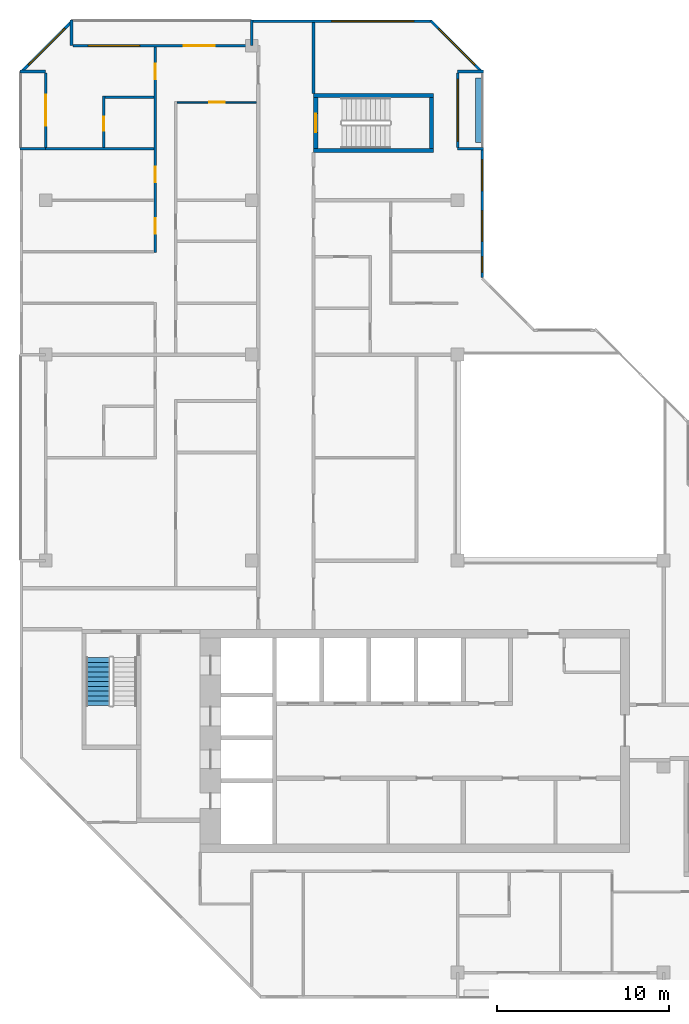
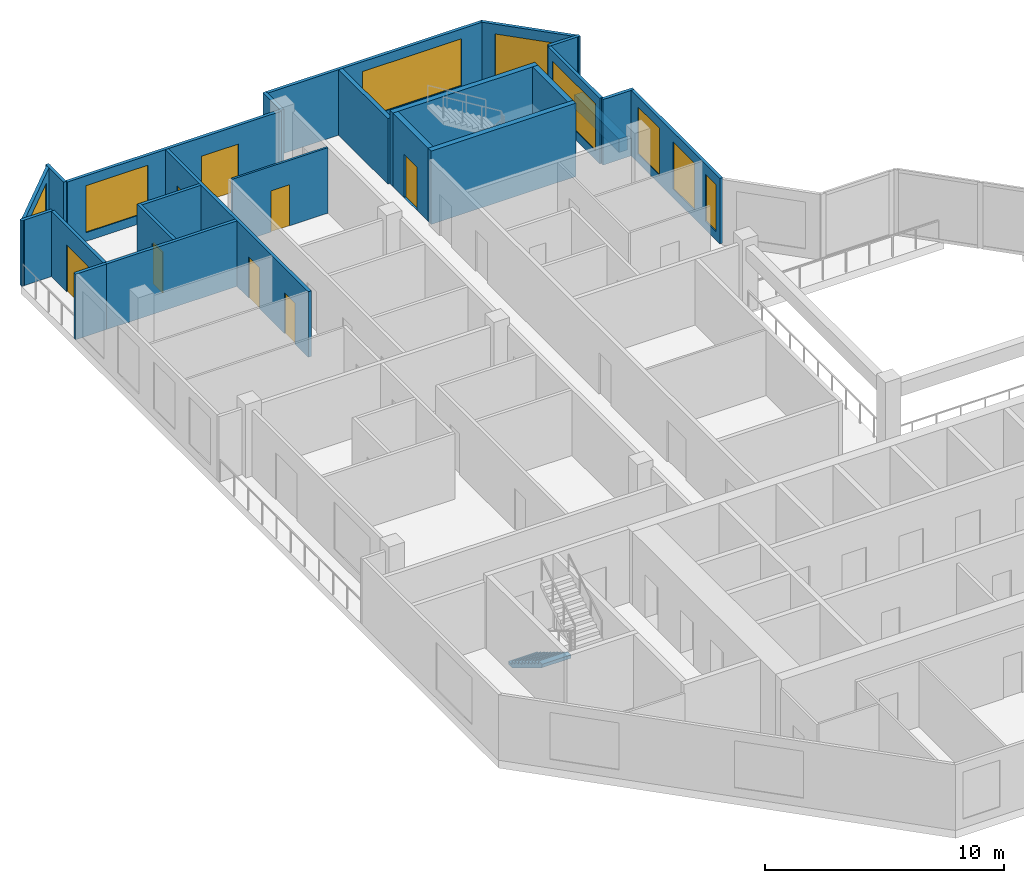
# One storey, part 9 of 12: 24 walls, 8 doors, 8 windows, 1 stair flight, 16 openings, 1 element without a shape of its own.
"""IFC4 building model written with IfcOpenShell, lengths in metres."""

from ifc_helpers import new_model, si_unit, direction, frame, frame_2d, origin, place, context, subcontext, project, spatial, polyline, rectangle, outline, extrude, material, layer, layer_set, type_object, element, fill, aggregate, save


model = new_model("IFC4")

# Units and contexts
model_context = context("Model", 3, precision=1e-05, world=origin(), true_north=direction((0.0, 1.0)))
body_context = subcontext(model_context, "Body", "Model", "MODEL_VIEW")
ifc_project = project(units=[si_unit("LENGTHUNIT", "METRE"), si_unit("AREAUNIT", "SQUARE_METRE"), si_unit("VOLUMEUNIT", "CUBIC_METRE"), si_unit("PLANEANGLEUNIT", "RADIAN"), si_unit("MASSUNIT", "GRAM", prefix="KILO")], contexts=[model_context])

# Site, building, storey
site_placement = place(None, origin())
site = spatial("IfcSite", under=ifc_project, at=site_placement, CompositionType="ELEMENT")
building_placement = place(site_placement, origin())
building = spatial("IfcBuilding", under=site, at=building_placement, Name="Chenar Terraces", CompositionType="ELEMENT")
storey_placement = place(building_placement, frame((0.0, 0.0, 342.64990234375)))
storey = spatial("IfcBuildingStorey", under=building, at=storey_placement, Name="L79", CompositionType="ELEMENT", Elevation=342.64990234375)

# Walls
ifc_material_1 = material(Name="Concrete C50/60", Category="concrete")
ifc_layer_1 = layer(ifc_material_1, 0.25)
ifc_layer_set_1 = layer_set([ifc_layer_1], Name="Concrete C50/60")
wall_type_1 = type_object("IfcWallType", Name="Core wall 250 Concrete C50/60", PredefinedType="SHEAR", material=ifc_layer_set_1)
for number, where, z_axis, x_axis, name in (
    (1, (15.60009765625, 47.89990234375, 0.0), (0.0, 0.0, 1.0), (1.0, 0.0, 0.0), "Core wall ST4_S L79"),
    (2, (15.60009765625, 51.10009765625, 0.0), (0.0, 0.0, 1.0), (1.0, 0.0, 0.0), "Core wall ST4_N L79"),
):
    element("IfcWall", number, at=place(storey_placement, frame(where, z_axis=z_axis, x_axis=x_axis)), inside=storey, type_object=wall_type_1, Name=name, PredefinedType="SHEAR", context=body_context, shape_type="SweptSolid", body=[
        extrude(rectangle(XDim=7.0, YDim=0.25, at=frame_2d((3.5, 0.0))), origin(), (0.0, 0.0, 1.0), 3.75),
    ])

# Wall, opening, door
wall_1_placement = place(storey_placement, frame((15.72509765625, 48.02490234375, 0.0), z_axis=(0.0, 0.0, 1.0), x_axis=(0.0, 1.0, 0.0)))
wall_1 = element("IfcWall", 3, at=wall_1_placement, inside=storey, type_object=wall_type_1, Name="Core wall ST4_W L79", PredefinedType="SHEAR", context=body_context, shape_type="SweptSolid", body=[
    extrude(rectangle(XDim=2.9501953125, YDim=0.25, at=frame_2d((1.47509765625, 0.0))), origin(), (0.0, 0.0, 1.0), 3.75),
])
opening_1_placement = place(wall_1_placement, frame((0.925048828125, 0.0, 0.0)))
opening_1 = element("IfcOpeningElement", 4, at=opening_1_placement, cuts=wall_1, Name="Opening DL79-C9", PredefinedType="OPENING", context=body_context, shape_type="SweptSolid", body=[
    extrude(rectangle(XDim=1.10009765625, YDim=2.199951171875, at=frame_2d((0.550048828125, 1.10009765625))), frame((0.0, 0.135009765625, 0.0), z_axis=(0.0, -1.0, 0.0), x_axis=(1.0, 0.0, 0.0)), (0.0, 0.0, 1.0), 0.27001953125),
])
ifc_material_2 = material(Name="Steel-framed fire-resisting door leaf", Category="steel")
door_type_1 = type_object("IfcDoorType", Name="Stair fire door FD60 1100 x 2200", OperationType="SINGLE_SWING_LEFT", PredefinedType="DOOR", material=ifc_material_2)
door_1_placement = place(opening_1_placement, frame((1.10009765625, 0.0, 0.0), z_axis=(0.0, 0.0, 1.0), x_axis=(-1.0, 0.0, 0.0)))
door_1 = element("IfcDoor", 5, at=door_1_placement, inside=storey, type_object=door_type_1, Name="Stair door DL79-C9", OperationType="SINGLE_SWING_RIGHT", OverallHeight=2.199951171875, OverallWidth=1.10009765625, PredefinedType="DOOR", context=body_context, shape_type="SweptSolid", body=[
    extrude(rectangle(XDim=1.10009765625, YDim=2.199951171875, at=frame_2d((0.550048828125, 1.10009765625))), frame((0.0, 0.02490234375, 0.0), z_axis=(0.0, -1.0, 0.0), x_axis=(1.0, 0.0, 0.0)), (0.0, 0.0, 1.0), 0.050048828125),
])
fill(opening_1, door_1)

# Walls
wall_2_placement = place(storey_placement, frame((22.47509765625, 48.02490234375, 0.0), z_axis=(0.0, 0.0, 1.0), x_axis=(0.0, 1.0, 0.0)))
element("IfcWall", 6, at=wall_2_placement, inside=storey, type_object=wall_type_1, Name="Core wall ST4_E L79", PredefinedType="SHEAR", context=body_context, shape_type="SweptSolid", body=[
    extrude(rectangle(XDim=2.9501953125, YDim=0.25, at=frame_2d((1.47509765625, 0.0))), origin(), (0.0, 0.0, 1.0), 3.75),
])
ifc_material_3 = material(Name="Gypsum board on steel studs with fire boards", Category="steel")
ifc_layer_2 = layer(ifc_material_3, 0.199951171875)
ifc_layer_set_2 = layer_set([ifc_layer_2], Name="Gypsum board on steel studs with fire boards")
wall_type_2 = type_object("IfcWallType", Name="Corridor wall 200", PredefinedType="PARTITIONING", material=ifc_layer_set_2)
wall_3_placement = place(storey_placement, frame((15.60009765625, 51.22509765625, 0.0), z_axis=(0.0, 0.0, 1.0), x_axis=(0.0, 1.0, 0.0)))
element("IfcWall", 7, at=wall_3_placement, inside=storey, type_object=wall_type_2, Name="Partition L79-032", PredefinedType="PARTITIONING", context=body_context, shape_type="SweptSolid", body=[
    extrude(rectangle(XDim=4.125, YDim=0.199951171875, at=frame_2d((2.0625, 0.0))), origin(), (0.0, 0.0, 1.0), 3.35009765625),
])

# Wall, openings, windows
ifc_material_4 = material(Name="Aluminium framed glazing", Category="aluminium")
ifc_layer_3 = layer(ifc_material_4, 0.14990234375)
ifc_layer_set_3 = layer_set([ifc_layer_3], Name="Aluminium framed glazing")
wall_type_3 = type_object("IfcWallType", Name="Glazed flush facade wall 150", PredefinedType="SOLIDWALL", material=ifc_layer_set_3)
wall_4_placement = place(storey_placement, frame((25.425048828125, 40.5, 0.0), z_axis=(0.0, 0.0, 1.0), x_axis=(0.0, 1.0, 0.0)))
wall_4 = element("IfcWall", 8, at=wall_4_placement, inside=storey, type_object=wall_type_3, Name="Glazed flush facade wall", PredefinedType="SOLIDWALL", context=body_context, shape_type="SweptSolid", body=[
    extrude(rectangle(XDim=7.425048828125, YDim=0.14990234375, at=frame_2d((3.71240234375, 0.0))), origin(), (0.0, 0.0, 1.0), 3.35009765625),
])
opening_2_placement = place(wall_4_placement, frame((0.300048828125, 0.0, 0.449951171875)))
opening_2 = element("IfcOpeningElement", 9, at=opening_2_placement, cuts=wall_4, Name="Opening W90x240", PredefinedType="OPENING", context=body_context, shape_type="SweptSolid", body=[
    extrude(rectangle(XDim=0.89990234375, YDim=2.39990234375, at=frame_2d((0.449951171875, 1.199951171875))), frame((0.0, 0.0849609375, 0.0), z_axis=(0.0, -1.0, 0.0), x_axis=(1.0, 0.0, 0.0)), (0.0, 0.0, 1.0), 0.169921875),
])
opening_3_placement = place(wall_4_placement, frame((2.10009765625, 0.0, 0.449951171875)))
opening_3 = element("IfcOpeningElement", 10, at=opening_3_placement, cuts=wall_4, Name="Opening W180x240", PredefinedType="OPENING", context=body_context, shape_type="SweptSolid", body=[
    extrude(rectangle(XDim=1.800048828125, YDim=2.39990234375, at=frame_2d((0.89990234375, 1.199951171875))), frame((0.0, 0.0849609375, 0.0), z_axis=(0.0, -1.0, 0.0), x_axis=(1.0, 0.0, 0.0)), (0.0, 0.0, 1.0), 0.169921875),
])
opening_4_placement = place(wall_4_placement, frame((5.0625, 0.0, 0.449951171875)))
opening_4 = element("IfcOpeningElement", 11, at=opening_4_placement, cuts=wall_4, Name="Opening W180x240", PredefinedType="OPENING", context=body_context, shape_type="SweptSolid", body=[
    extrude(rectangle(XDim=1.800048828125, YDim=2.39990234375, at=frame_2d((0.89990234375, 1.199951171875))), frame((0.0, 0.0849609375, 0.0), z_axis=(0.0, -1.0, 0.0), x_axis=(1.0, 0.0, 0.0)), (0.0, 0.0, 1.0), 0.169921875),
])
ifc_material_5 = material(Name="Low emissivity double glazing, aluminium frame", Category="aluminium")
window_type_1 = type_object("IfcWindowType", Name="Fixed light 1800 x 2400", PartitioningType="SINGLE_PANEL", PredefinedType="WINDOW", material=ifc_material_5)
window_1_placement = place(opening_3_placement, origin())
window_1 = element("IfcWindow", 12, at=window_1_placement, inside=storey, type_object=window_type_1, Name="Window", OverallHeight=2.39990234375, OverallWidth=1.800048828125, PartitioningType="SINGLE_PANEL", PredefinedType="WINDOW", context=body_context, shape_type="SweptSolid", body=[
    extrude(rectangle(XDim=1.800048828125, YDim=2.39990234375, at=frame_2d((0.89990234375, 1.199951171875))), frame((0.0, 0.030029296875, 0.0), z_axis=(0.0, -1.0, 0.0), x_axis=(1.0, 0.0, 0.0)), (0.0, 0.0, 1.0), 0.06005859375),
])
fill(opening_3, window_1)
window_2_placement = place(opening_4_placement, origin())
window_2 = element("IfcWindow", 13, at=window_2_placement, inside=storey, type_object=window_type_1, Name="Window", OverallHeight=2.39990234375, OverallWidth=1.800048828125, PartitioningType="SINGLE_PANEL", PredefinedType="WINDOW", context=body_context, shape_type="SweptSolid", body=[
    extrude(rectangle(XDim=1.800048828125, YDim=2.39990234375, at=frame_2d((0.89990234375, 1.199951171875))), frame((0.0, 0.030029296875, 0.0), z_axis=(0.0, -1.0, 0.0), x_axis=(1.0, 0.0, 0.0)), (0.0, 0.0, 1.0), 0.06005859375),
])
fill(opening_4, window_2)
ifc_material_6 = material(Name="Low emissivity double glazing, aluminium frame", Category="aluminium")
window_type_2 = type_object("IfcWindowType", Name="Fixed light 900 x 2400", PartitioningType="SINGLE_PANEL", PredefinedType="WINDOW", material=ifc_material_6)
window_3_placement = place(opening_2_placement, origin())
window_3 = element("IfcWindow", 14, at=window_3_placement, inside=storey, type_object=window_type_2, Name="Window", OverallHeight=2.39990234375, OverallWidth=0.89990234375, PartitioningType="SINGLE_PANEL", PredefinedType="WINDOW", context=body_context, shape_type="SweptSolid", body=[
    extrude(rectangle(XDim=0.89990234375, YDim=2.39990234375, at=frame_2d((0.449951171875, 1.199951171875))), frame((0.0, 0.030029296875, 0.0), z_axis=(0.0, -1.0, 0.0), x_axis=(1.0, 0.0, 0.0)), (0.0, 0.0, 1.0), 0.06005859375),
])
fill(opening_2, window_3)

# Wall, opening, window
wall_5_placement = place(storey_placement, frame((22.5, 55.425048828125, 0.0), z_axis=(0.0, 0.0, 1.0), x_axis=(-1.0, 0.0, 0.0)))
wall_5 = element("IfcWall", 15, at=wall_5_placement, inside=storey, type_object=wall_type_3, Name="Glazed flush facade wall", PredefinedType="SOLIDWALL", context=body_context, shape_type="SweptSolid", body=[
    extrude(rectangle(XDim=10.425048828125, YDim=0.14990234375, at=frame_2d((5.21240234375, 0.0))), origin(), (0.0, 0.0, 1.0), 3.35009765625),
])
opening_5_placement = place(wall_5_placement, frame((1.050048828125, 0.0, 0.449951171875)))
opening_5 = element("IfcOpeningElement", 16, at=opening_5_placement, cuts=wall_5, Name="Opening W480x240", PredefinedType="OPENING", context=body_context, shape_type="SweptSolid", body=[
    extrude(rectangle(XDim=4.800048828125, YDim=2.39990234375, at=frame_2d((2.39990234375, 1.199951171875))), frame((0.0, 0.0849609375, 0.0), z_axis=(0.0, -1.0, 0.0), x_axis=(1.0, 0.0, 0.0)), (0.0, 0.0, 1.0), 0.169921875),
])
ifc_material_7 = material(Name="Low emissivity double glazing, aluminium frame", Category="aluminium")
window_type_3 = type_object("IfcWindowType", Name="Fixed light 4800 x 2400", PartitioningType="SINGLE_PANEL", PredefinedType="WINDOW", material=ifc_material_7)
window_4_placement = place(opening_5_placement, origin())
window_4 = element("IfcWindow", 17, at=window_4_placement, inside=storey, type_object=window_type_3, Name="Window", OverallHeight=2.39990234375, OverallWidth=4.800048828125, PartitioningType="SINGLE_PANEL", PredefinedType="WINDOW", context=body_context, shape_type="SweptSolid", body=[
    extrude(rectangle(XDim=4.800048828125, YDim=2.39990234375, at=frame_2d((2.39990234375, 1.199951171875))), frame((0.0, 0.030029296875, 0.0), z_axis=(0.0, -1.0, 0.0), x_axis=(1.0, 0.0, 0.0)), (0.0, 0.0, 1.0), 0.06005859375),
])
fill(opening_5, window_4)

ifc_material_8 = material(Name="Aluminium framed glazing", Category="aluminium")
ifc_layer_4 = layer(ifc_material_8, 0.14990234375)
ifc_layer_set_4 = layer_set([ifc_layer_4], Name="Aluminium framed glazing")
wall_type_4 = type_object("IfcWallType", Name="Glazed loggia back wall 150", PredefinedType="SOLIDWALL", material=ifc_layer_set_4)
wall_6_placement = place(storey_placement, frame((24.0, 48.074951171875, 0.0), z_axis=(0.0, 0.0, 1.0), x_axis=(0.0, 1.0, 0.0)))
wall_6 = element("IfcWall", 18, at=wall_6_placement, inside=storey, type_object=wall_type_4, Name="Glazed loggia back wall", PredefinedType="SOLIDWALL", context=body_context, shape_type="SweptSolid", body=[
    extrude(rectangle(XDim=4.35009765625, YDim=0.14990234375, at=frame_2d((2.175048828125, 0.0))), origin(), (0.0, 0.0, 1.0), 3.35009765625),
])
opening_6_placement = place(wall_6_placement, frame((0.375, 0.0, 0.449951171875)))
opening_6 = element("IfcOpeningElement", 19, at=opening_6_placement, cuts=wall_6, Name="Opening W360x240", PredefinedType="OPENING", context=body_context, shape_type="SweptSolid", body=[
    extrude(rectangle(XDim=3.60009765625, YDim=2.39990234375, at=frame_2d((1.800048828125, 1.199951171875))), frame((0.0, 0.0849609375, 0.0), z_axis=(0.0, -1.0, 0.0), x_axis=(1.0, 0.0, 0.0)), (0.0, 0.0, 1.0), 0.169921875),
])
ifc_material_9 = material(Name="Low emissivity double glazing, aluminium frame", Category="aluminium")
window_type_4 = type_object("IfcWindowType", Name="Fixed light 3600 x 2400", PartitioningType="SINGLE_PANEL", PredefinedType="WINDOW", material=ifc_material_9)
window_5_placement = place(opening_6_placement, origin())
window_5 = element("IfcWindow", 20, at=window_5_placement, inside=storey, type_object=window_type_4, Name="Window", OverallHeight=2.39990234375, OverallWidth=3.60009765625, PartitioningType="SINGLE_PANEL", PredefinedType="WINDOW", context=body_context, shape_type="SweptSolid", body=[
    extrude(rectangle(XDim=3.60009765625, YDim=2.39990234375, at=frame_2d((1.800048828125, 1.199951171875))), frame((0.0, 0.030029296875, 0.0), z_axis=(0.0, -1.0, 0.0), x_axis=(1.0, 0.0, 0.0)), (0.0, 0.0, 1.0), 0.06005859375),
])
fill(opening_6, window_5)

# Wall, openings, window, door
wall_7_placement = place(storey_placement, frame((11.925048828125, 54.0, 0.0), z_axis=(0.0, 0.0, 1.0), x_axis=(-1.0, 0.0, 0.0)))
wall_7 = element("IfcWall", 21, at=wall_7_placement, inside=storey, type_object=wall_type_4, Name="Glazed loggia back wall", PredefinedType="SOLIDWALL", context=body_context, shape_type="SweptSolid", body=[
    extrude(rectangle(XDim=10.35009765625, YDim=0.14990234375, at=frame_2d((5.175048828125, 0.0))), origin(), (0.0, 0.0, 1.0), 3.35009765625),
])
opening_7_placement = place(wall_7_placement, frame((2.074951171875, 0.0, 0.0)))
opening_7 = element("IfcOpeningElement", 22, at=opening_7_placement, cuts=wall_7, Name="Opening DL79-G1", PredefinedType="OPENING", context=body_context, shape_type="SweptSolid", body=[
    extrude(rectangle(XDim=1.800048828125, YDim=2.39990234375, at=frame_2d((0.89990234375, 1.199951171875))), frame((0.0, 0.0849609375, 0.0), z_axis=(0.0, -1.0, 0.0), x_axis=(1.0, 0.0, 0.0)), (0.0, 0.0, 1.0), 0.169921875),
])
opening_8_placement = place(wall_7_placement, frame((6.449951171875, 0.0, 0.449951171875)))
opening_8 = element("IfcOpeningElement", 23, at=opening_8_placement, cuts=wall_7, Name="Opening W300x240", PredefinedType="OPENING", context=body_context, shape_type="SweptSolid", body=[
    extrude(rectangle(XDim=3.0, YDim=2.39990234375, at=frame_2d((1.5, 1.199951171875))), frame((0.0, 0.0849609375, 0.0), z_axis=(0.0, -1.0, 0.0), x_axis=(1.0, 0.0, 0.0)), (0.0, 0.0, 1.0), 0.169921875),
])
ifc_material_10 = material(Name="Low emissivity double glazing, aluminium frame", Category="aluminium")
window_type_5 = type_object("IfcWindowType", Name="Fixed light 3000 x 2400", PartitioningType="SINGLE_PANEL", PredefinedType="WINDOW", material=ifc_material_10)
window_6_placement = place(opening_8_placement, origin())
window_6 = element("IfcWindow", 24, at=window_6_placement, inside=storey, type_object=window_type_5, Name="Window", OverallHeight=2.39990234375, OverallWidth=3.0, PartitioningType="SINGLE_PANEL", PredefinedType="WINDOW", context=body_context, shape_type="SweptSolid", body=[
    extrude(rectangle(XDim=3.0, YDim=2.39990234375, at=frame_2d((1.5, 1.199951171875))), frame((0.0, 0.030029296875, 0.0), z_axis=(0.0, -1.0, 0.0), x_axis=(1.0, 0.0, 0.0)), (0.0, 0.0, 1.0), 0.06005859375),
])
fill(opening_8, window_6)
ifc_material_11 = material(Name="Low emissivity double glazing, aluminium frame", Category="aluminium")
door_type_2 = type_object("IfcDoorType", Name="Loggia glazed double door 1800 x 2400", OperationType="DOUBLE_DOOR_SINGLE_SWING", PredefinedType="DOOR", material=ifc_material_11)
door_2_placement = place(opening_7_placement, frame((1.800048828125, 0.0, 0.0), z_axis=(0.0, 0.0, 1.0), x_axis=(-1.0, 0.0, 0.0)))
door_2 = element("IfcDoor", 25, at=door_2_placement, inside=storey, type_object=door_type_2, Name="Loggia glazed door", OperationType="DOUBLE_DOOR_SINGLE_SWING", OverallHeight=2.39990234375, OverallWidth=1.800048828125, PredefinedType="DOOR", context=body_context, shape_type="SweptSolid", body=[
    extrude(rectangle(XDim=1.800048828125, YDim=2.39990234375, at=frame_2d((0.89990234375, 1.199951171875))), frame((0.0, 0.02490234375, 0.0), z_axis=(0.0, -1.0, 0.0), x_axis=(1.0, 0.0, 0.0)), (0.0, 0.0, 1.0), 0.050048828125),
])
fill(opening_7, door_2)

# Wall, opening, door
wall_8_placement = place(storey_placement, frame((0.0, 52.425048828125, 0.0), z_axis=(0.0, 0.0, 1.0), x_axis=(0.0, -1.0, 0.0)))
wall_8 = element("IfcWall", 26, at=wall_8_placement, inside=storey, type_object=wall_type_4, Name="Glazed loggia back wall", PredefinedType="SOLIDWALL", context=body_context, shape_type="SweptSolid", body=[
    extrude(rectangle(XDim=4.35009765625, YDim=0.14990234375, at=frame_2d((2.175048828125, 0.0))), origin(), (0.0, 0.0, 1.0), 3.35009765625),
])
opening_9_placement = place(wall_8_placement, frame((1.27490234375, 0.0, 0.0)))
opening_9 = element("IfcOpeningElement", 27, at=opening_9_placement, cuts=wall_8, Name="Opening DL79-G2", PredefinedType="OPENING", context=body_context, shape_type="SweptSolid", body=[
    extrude(rectangle(XDim=1.800048828125, YDim=2.39990234375, at=frame_2d((0.89990234375, 1.199951171875))), frame((0.0, 0.0849609375, 0.0), z_axis=(0.0, -1.0, 0.0), x_axis=(1.0, 0.0, 0.0)), (0.0, 0.0, 1.0), 0.169921875),
])
door_3_placement = place(opening_9_placement, frame((1.800048828125, 0.0, 0.0), z_axis=(0.0, 0.0, 1.0), x_axis=(-1.0, 0.0, 0.0)))
door_3 = element("IfcDoor", 28, at=door_3_placement, inside=storey, type_object=door_type_2, Name="Loggia glazed door", OperationType="DOUBLE_DOOR_SINGLE_SWING", OverallHeight=2.39990234375, OverallWidth=1.800048828125, PredefinedType="DOOR", context=body_context, shape_type="SweptSolid", body=[
    extrude(rectangle(XDim=1.800048828125, YDim=2.39990234375, at=frame_2d((0.89990234375, 1.199951171875))), frame((0.0, 0.02490234375, 0.0), z_axis=(0.0, -1.0, 0.0), x_axis=(1.0, 0.0, 0.0)), (0.0, 0.0, 1.0), 0.050048828125),
])
fill(opening_9, door_3)

ifc_material_12 = material(Name="Gypsum board on steel studs", Category="steel")
ifc_layer_5 = layer(ifc_material_12, 0.10009765625)
ifc_layer_set_5 = layer_set([ifc_layer_5], Name="Gypsum board on steel studs")
wall_type_5 = type_object("IfcWallType", Name="Gypsum partition 100", PredefinedType="PARTITIONING", material=ifc_layer_set_5)
wall_9_placement = place(storey_placement, frame((7.64990234375, 50.699951171875, 0.0), z_axis=(0.0, 0.0, 1.0), x_axis=(1.0, 0.0, 0.0)))
wall_9 = element("IfcWall", 29, at=wall_9_placement, inside=storey, type_object=wall_type_5, Name="Partition L79-024", PredefinedType="PARTITIONING", context=body_context, shape_type="SweptSolid", body=[
    extrude(rectangle(XDim=4.625, YDim=0.10009765625, at=frame_2d((2.3125, 0.0))), origin(), (0.0, 0.0, 1.0), 3.35009765625),
])
opening_10_placement = place(wall_9_placement, frame((1.875, 0.0, 0.0)))
opening_10 = element("IfcOpeningElement", 30, at=opening_10_placement, cuts=wall_9, Name="Opening DL79-14", PredefinedType="OPENING", context=body_context, shape_type="SweptSolid", body=[
    extrude(rectangle(XDim=0.89990234375, YDim=2.10009765625, at=frame_2d((0.449951171875, 1.050048828125))), frame((0.0, 0.06005859375, 0.0), z_axis=(0.0, -1.0, 0.0), x_axis=(1.0, 0.0, 0.0)), (0.0, 0.0, 1.0), 0.1201171875),
])
ifc_material_13 = material(Name="Veneered timber door leaf", Category="wood")
door_type_3 = type_object("IfcDoorType", Name="Door 900 x 2100", OperationType="SINGLE_SWING_LEFT", PredefinedType="DOOR", material=ifc_material_13)
door_4_placement = place(opening_10_placement, frame((0.89990234375, 0.0, 0.0), z_axis=(0.0, 0.0, 1.0), x_axis=(-1.0, 0.0, 0.0)))
door_4 = element("IfcDoor", 31, at=door_4_placement, inside=storey, type_object=door_type_3, Name="Door DL79-14", OperationType="SINGLE_SWING_RIGHT", OverallHeight=2.10009765625, OverallWidth=0.89990234375, PredefinedType="DOOR", context=body_context, shape_type="SweptSolid", body=[
    extrude(rectangle(XDim=0.89990234375, YDim=2.10009765625, at=frame_2d((0.449951171875, 1.050048828125))), frame((0.0, 0.02490234375, 0.0), z_axis=(0.0, -1.0, 0.0), x_axis=(1.0, 0.0, 0.0)), (0.0, 0.0, 1.0), 0.050048828125),
])
fill(opening_10, door_4)

# Walls
ifc_material_14 = material(Name="Terracotta cladding on insulated backing", Category="masonry")
ifc_layer_6 = layer(ifc_material_14, 0.14990234375)
ifc_layer_set_6 = layer_set([ifc_layer_6], Name="Terracotta cladding on insulated backing")
wall_type_6 = type_object("IfcWallType", Name="Loggia return wall 150", PredefinedType="SOLIDWALL", material=ifc_layer_set_6)
for number, where, z_axis, x_axis, name in (
    (32, (25.5, 48.0, 0.0), (0.0, 0.0, 1.0), (-1.0, 0.0, 0.0), "Loggia return wall"),
    (33, (25.5, 52.5, 0.0), (0.0, 0.0, 1.0), (-1.0, 0.0, 0.0), "Loggia return wall"),
    (34, (12.0, 55.5, 0.0), (0.0, 0.0, 1.0), (0.0, -1.0, 0.0), "Loggia return wall"),
    (35, (1.5, 55.5, 0.0), (0.0, 0.0, 1.0), (0.0, -1.0, 0.0), "Loggia return wall"),
    (36, (-1.5, 52.5, 0.0), (0.0, 0.0, 1.0), (1.0, 0.0, 0.0), "Loggia return wall"),
    (37, (-1.5, 48.0, 0.0), (0.0, 0.0, 1.0), (1.0, 0.0, 0.0), "Loggia return wall"),
):
    element("IfcWall", number, at=place(storey_placement, frame(where, z_axis=z_axis, x_axis=x_axis)), inside=storey, type_object=wall_type_6, Name=name, PredefinedType="SOLIDWALL", context=body_context, shape_type="SweptSolid", body=[
        extrude(rectangle(XDim=1.5, YDim=0.14990234375, at=frame_2d((0.75, 0.0))), origin(), (0.0, 0.0, 1.0), 3.35009765625),
    ])

# Wall, opening, window
ifc_material_15 = material(Name="Terracotta cladding on insulated backing", Category="masonry")
ifc_layer_7 = layer(ifc_material_15, 0.14990234375)
ifc_layer_set_7 = layer_set([ifc_layer_7], Name="Terracotta cladding on insulated backing")
wall_type_7 = type_object("IfcWallType", Name="Terracotta rainscreen wall 150", PredefinedType="SOLIDWALL", material=ifc_layer_set_7)
wall_10_placement = place(storey_placement, frame((25.447021484375, 52.447021484375, 0.0), z_axis=(0.0, 0.0, 1.0), x_axis=(-0.707106781187, 0.707106781187, 0.0)))
wall_10 = element("IfcWall", 38, at=wall_10_placement, inside=storey, type_object=wall_type_7, Name="Terracotta rainscreen wall", PredefinedType="SOLIDWALL", context=body_context, shape_type="SweptSolid", body=[
    extrude(rectangle(XDim=4.24267578125, YDim=0.14990234375, at=frame_2d((2.121337890625, 0.0))), origin(), (0.0, 0.0, 1.0), 3.35009765625),
])
opening_11_placement = place(wall_10_placement, frame((0.621337890625, 0.0, 0.449951171875)))
opening_11 = element("IfcOpeningElement", 39, at=opening_11_placement, cuts=wall_10, Name="Opening W300x240", PredefinedType="OPENING", context=body_context, shape_type="SweptSolid", body=[
    extrude(rectangle(XDim=3.0, YDim=2.39990234375, at=frame_2d((1.5, 1.199951171875))), frame((0.0, 0.0849609375, 0.0), z_axis=(0.0, -1.0, 0.0), x_axis=(1.0, 0.0, 0.0)), (0.0, 0.0, 1.0), 0.169921875),
])
window_7_placement = place(opening_11_placement, origin())
window_7 = element("IfcWindow", 40, at=window_7_placement, inside=storey, type_object=window_type_5, Name="Window", OverallHeight=2.39990234375, OverallWidth=3.0, PartitioningType="SINGLE_PANEL", PredefinedType="WINDOW", context=body_context, shape_type="SweptSolid", body=[
    extrude(rectangle(XDim=3.0, YDim=2.39990234375, at=frame_2d((1.5, 1.199951171875))), frame((0.0, 0.030029296875, 0.0), z_axis=(0.0, -1.0, 0.0), x_axis=(1.0, 0.0, 0.0)), (0.0, 0.0, 1.0), 0.06005859375),
])
fill(opening_11, window_7)

wall_11_placement = place(storey_placement, frame((1.552978515625, 55.447021484375, 0.0), z_axis=(0.0, 0.0, 1.0), x_axis=(-0.707106781187, -0.707106781187, 0.0)))
wall_11 = element("IfcWall", 41, at=wall_11_placement, inside=storey, type_object=wall_type_7, Name="Terracotta rainscreen wall", PredefinedType="SOLIDWALL", context=body_context, shape_type="SweptSolid", body=[
    extrude(rectangle(XDim=4.24267578125, YDim=0.14990234375, at=frame_2d((2.121337890625, 0.0))), origin(), (0.0, 0.0, 1.0), 3.35009765625),
])
opening_12_placement = place(wall_11_placement, frame((0.621337890625, 0.0, 0.449951171875)))
opening_12 = element("IfcOpeningElement", 42, at=opening_12_placement, cuts=wall_11, Name="Opening W300x240", PredefinedType="OPENING", context=body_context, shape_type="SweptSolid", body=[
    extrude(rectangle(XDim=3.0, YDim=2.39990234375, at=frame_2d((1.5, 1.199951171875))), frame((0.0, 0.0849609375, 0.0), z_axis=(0.0, -1.0, 0.0), x_axis=(1.0, 0.0, 0.0)), (0.0, 0.0, 1.0), 0.169921875),
])
window_8_placement = place(opening_12_placement, origin())
window_8 = element("IfcWindow", 43, at=window_8_placement, inside=storey, type_object=window_type_5, Name="Window", OverallHeight=2.39990234375, OverallWidth=3.0, PartitioningType="SINGLE_PANEL", PredefinedType="WINDOW", context=body_context, shape_type="SweptSolid", body=[
    extrude(rectangle(XDim=3.0, YDim=2.39990234375, at=frame_2d((1.5, 1.199951171875))), frame((0.0, 0.030029296875, 0.0), z_axis=(0.0, -1.0, 0.0), x_axis=(1.0, 0.0, 0.0)), (0.0, 0.0, 1.0), 0.06005859375),
])
fill(opening_12, window_8)

# Walls
ifc_material_16 = material(Name="GRP planter trough")
ifc_layer_8 = layer(ifc_material_16, 0.39990234375)
ifc_layer_set_8 = layer_set([ifc_layer_8], Name="GRP planter trough")
wall_type_8 = type_object("IfcWallType", Name="Vertical greenery planter 400", PredefinedType="SOLIDWALL", material=ifc_layer_set_8)
wall_12_placement = place(storey_placement, frame((25.22900390625, 48.375, 0.0), z_axis=(0.0, 0.0, 1.0), x_axis=(0.0, 1.0, 0.0)))
element("IfcWall", 44, at=wall_12_placement, inside=storey, type_object=wall_type_8, Name="Vertical greenery planter", PredefinedType="SOLIDWALL", context=body_context, shape_type="SweptSolid", body=[
    extrude(rectangle(XDim=3.75, YDim=0.39990234375, at=frame_2d((1.875, 0.0))), origin(), (0.0, 0.0, 1.0), 0.7001953125),
])
ifc_material_17 = material(Name="Moisture-resistant gypsum board on steel studs", Category="steel")
ifc_layer_9 = layer(ifc_material_17, 0.14990234375)
ifc_layer_set_9 = layer_set([ifc_layer_9], Name="Moisture-resistant gypsum board on steel studs")
wall_type_9 = type_object("IfcWallType", Name="Wet-room partition 150", PredefinedType="PARTITIONING", material=ifc_layer_set_9)
wall_13_placement = place(storey_placement, frame((0.0, 48.0, 0.0), z_axis=(0.0, 0.0, 1.0), x_axis=(1.0, 0.0, 0.0)))
element("IfcWall", 45, at=wall_13_placement, inside=storey, type_object=wall_type_9, Name="Partition L79-007", PredefinedType="PARTITIONING", context=body_context, shape_type="SweptSolid", body=[
    extrude(rectangle(XDim=6.300048828125, YDim=0.14990234375, at=frame_2d((3.14990234375, 0.0))), origin(), (0.0, 0.0, 1.0), 3.35009765625),
])

# Wall, opening, door
wall_14_placement = place(storey_placement, frame((3.375, 48.074951171875, 0.0), z_axis=(0.0, 0.0, 1.0), x_axis=(0.0, 1.0, 0.0)))
wall_14 = element("IfcWall", 46, at=wall_14_placement, inside=storey, type_object=wall_type_9, Name="Partition L79-011", PredefinedType="PARTITIONING", context=body_context, shape_type="SweptSolid", body=[
    extrude(rectangle(XDim=3.0, YDim=0.14990234375, at=frame_2d((1.5, 0.0))), origin(), (0.0, 0.0, 1.0), 3.35009765625),
])
opening_13_placement = place(wall_14_placement, frame((0.97509765625, 0.0, 0.0)))
opening_13 = element("IfcOpeningElement", 47, at=opening_13_placement, cuts=wall_14, Name="Opening DL79-13", PredefinedType="OPENING", context=body_context, shape_type="SweptSolid", body=[
    extrude(rectangle(XDim=0.800048828125, YDim=2.10009765625, at=frame_2d((0.39990234375, 1.050048828125))), frame((0.0, 0.0849609375, 0.0), z_axis=(0.0, -1.0, 0.0), x_axis=(1.0, 0.0, 0.0)), (0.0, 0.0, 1.0), 0.169921875),
])
ifc_material_18 = material(Name="Veneered timber door leaf", Category="wood")
door_type_4 = type_object("IfcDoorType", Name="Door 800 x 2100", OperationType="SINGLE_SWING_LEFT", PredefinedType="DOOR", material=ifc_material_18)
door_5_placement = place(opening_13_placement, frame((0.800048828125, 0.0, 0.0), z_axis=(0.0, 0.0, 1.0), x_axis=(-1.0, 0.0, 0.0)))
door_5 = element("IfcDoor", 48, at=door_5_placement, inside=storey, type_object=door_type_4, Name="Door DL79-13", OperationType="SINGLE_SWING_RIGHT", OverallHeight=2.10009765625, OverallWidth=0.800048828125, PredefinedType="DOOR", context=body_context, shape_type="SweptSolid", body=[
    extrude(rectangle(XDim=0.800048828125, YDim=2.10009765625, at=frame_2d((0.39990234375, 1.050048828125))), frame((0.0, 0.02490234375, 0.0), z_axis=(0.0, -1.0, 0.0), x_axis=(1.0, 0.0, 0.0)), (0.0, 0.0, 1.0), 0.050048828125),
])
fill(opening_13, door_5)

# Wall
wall_15_placement = place(storey_placement, frame((3.449951171875, 51.0, 0.0), z_axis=(0.0, 0.0, 1.0), x_axis=(1.0, 0.0, 0.0)))
element("IfcWall", 49, at=wall_15_placement, inside=storey, type_object=wall_type_9, Name="Partition L79-013", PredefinedType="PARTITIONING", context=body_context, shape_type="SweptSolid", body=[
    extrude(rectangle(XDim=2.85009765625, YDim=0.14990234375, at=frame_2d((1.425048828125, 0.0))), origin(), (0.0, 0.0, 1.0), 3.35009765625),
])

# Wall, openings, doors
wall_16_placement = place(storey_placement, frame((6.375, 41.949951171875, 0.0), z_axis=(0.0, 0.0, 1.0), x_axis=(0.0, 1.0, 0.0)))
wall_16 = element("IfcWall", 50, at=wall_16_placement, inside=storey, type_object=wall_type_9, Name="Partition L79-016", PredefinedType="PARTITIONING", context=body_context, shape_type="SweptSolid", body=[
    extrude(rectangle(XDim=11.97607421875, YDim=0.14990234375, at=frame_2d((5.988037109375, 0.0))), origin(), (0.0, 0.0, 1.0), 3.35009765625),
])
opening_14_placement = place(wall_16_placement, frame((4.10009765625, 0.0, 0.0)))
opening_14 = element("IfcOpeningElement", 51, at=opening_14_placement, cuts=wall_16, Name="Opening DL79-11", PredefinedType="OPENING", context=body_context, shape_type="SweptSolid", body=[
    extrude(rectangle(XDim=0.89990234375, YDim=2.10009765625, at=frame_2d((0.449951171875, 1.050048828125))), frame((0.0, 0.0849609375, 0.0), z_axis=(0.0, -1.0, 0.0), x_axis=(1.0, 0.0, 0.0)), (0.0, 0.0, 1.0), 0.169921875),
])
opening_15_placement = place(wall_16_placement, frame((10.10009765625, 0.0, 0.0)))
opening_15 = element("IfcOpeningElement", 52, at=opening_15_placement, cuts=wall_16, Name="Opening DL79-12", PredefinedType="OPENING", context=body_context, shape_type="SweptSolid", body=[
    extrude(rectangle(XDim=0.89990234375, YDim=2.10009765625, at=frame_2d((0.449951171875, 1.050048828125))), frame((0.0, 0.0849609375, 0.0), z_axis=(0.0, -1.0, 0.0), x_axis=(1.0, 0.0, 0.0)), (0.0, 0.0, 1.0), 0.169921875),
])
opening_16_placement = place(wall_16_placement, frame((1.10009765625, 0.0, 0.0)))
opening_16 = element("IfcOpeningElement", 53, at=opening_16_placement, cuts=wall_16, Name="Opening DL79-17", PredefinedType="OPENING", context=body_context, shape_type="SweptSolid", body=[
    extrude(rectangle(XDim=0.89990234375, YDim=2.10009765625, at=frame_2d((0.449951171875, 1.050048828125))), frame((0.0, 0.0849609375, 0.0), z_axis=(0.0, -1.0, 0.0), x_axis=(1.0, 0.0, 0.0)), (0.0, 0.0, 1.0), 0.169921875),
])
door_6_placement = place(opening_14_placement, origin())
door_6 = element("IfcDoor", 54, at=door_6_placement, inside=storey, type_object=door_type_3, Name="Door DL79-11", OperationType="SINGLE_SWING_LEFT", OverallHeight=2.10009765625, OverallWidth=0.89990234375, PredefinedType="DOOR", context=body_context, shape_type="SweptSolid", body=[
    extrude(rectangle(XDim=0.89990234375, YDim=2.10009765625, at=frame_2d((0.449951171875, 1.050048828125))), frame((0.0, 0.02490234375, 0.0), z_axis=(0.0, -1.0, 0.0), x_axis=(1.0, 0.0, 0.0)), (0.0, 0.0, 1.0), 0.050048828125),
])
fill(opening_14, door_6)
door_7_placement = place(opening_15_placement, origin())
door_7 = element("IfcDoor", 55, at=door_7_placement, inside=storey, type_object=door_type_3, Name="Door DL79-12", OperationType="SINGLE_SWING_LEFT", OverallHeight=2.10009765625, OverallWidth=0.89990234375, PredefinedType="DOOR", context=body_context, shape_type="SweptSolid", body=[
    extrude(rectangle(XDim=0.89990234375, YDim=2.10009765625, at=frame_2d((0.449951171875, 1.050048828125))), frame((0.0, 0.02490234375, 0.0), z_axis=(0.0, -1.0, 0.0), x_axis=(1.0, 0.0, 0.0)), (0.0, 0.0, 1.0), 0.050048828125),
])
fill(opening_15, door_7)
door_8_placement = place(opening_16_placement, origin())
door_8 = element("IfcDoor", 56, at=door_8_placement, inside=storey, type_object=door_type_3, Name="Door DL79-17", OperationType="SINGLE_SWING_LEFT", OverallHeight=2.10009765625, OverallWidth=0.89990234375, PredefinedType="DOOR", context=body_context, shape_type="SweptSolid", body=[
    extrude(rectangle(XDim=0.89990234375, YDim=2.10009765625, at=frame_2d((0.449951171875, 1.050048828125))), frame((0.0, 0.02490234375, 0.0), z_axis=(0.0, -1.0, 0.0), x_axis=(1.0, 0.0, 0.0)), (0.0, 0.0, 1.0), 0.050048828125),
])
fill(opening_16, door_8)

# Stair, stair flight
ifc_material_19 = material(Name="Reinforced concrete C40/50", Category="concrete")
stair_type = type_object("IfcStairType", Name="Core stair 1400 half-turn", PredefinedType="HALF_TURN_STAIR", material=ifc_material_19)
stair_placement = place(storey_placement, origin())
stair = element("IfcStair", 57, at=stair_placement, inside=storey, type_object=stair_type, Name="L79 Stair 1", PredefinedType="HALF_TURN_STAIR")
ifc_material_20 = material(Name="Reinforced concrete C40/50", Category="concrete")
stair_flight_type = type_object("IfcStairFlightType", Name="Core stair flight 1400", PredefinedType="STRAIGHT", material=ifc_material_20)
stair_flight_placement = place(storey_placement, frame((3.050048828125, 18.35009765625, 0.0), z_axis=(0.0, 0.0, 1.0), x_axis=(0.0, -1.0, 0.0)))
stair_flight = element("IfcStairFlight", 58, at=stair_flight_placement, type_object=stair_flight_type, Name="ST1 flight 1", NumberOfRisers=11, NumberOfTreads=10, PredefinedType="STRAIGHT", RiserHeight=0.170454545, TreadLength=0.28, context=body_context, shape_type="SweptSolid", body=[
    extrude(outline(polyline([(-0.0029296875, 0.0), (-0.0029296875, 0.17041015625), (0.0, 0.17041015625), (0.280029296875, 0.17041015625), (0.280029296875, 0.3408203125), (0.56005859375, 0.3408203125), (0.56005859375, 0.511474609375), (0.840087890625, 0.511474609375), (0.840087890625, 0.681884765625), (1.1201171875, 0.681884765625), (1.1201171875, 0.852294921875), (1.39990234375, 0.852294921875), (1.39990234375, 1.022705078125), (1.679931640625, 1.022705078125), (1.679931640625, 1.193115234375), (1.9599609375, 1.193115234375), (1.9599609375, 1.363525390625), (2.239990234375, 1.363525390625), (2.239990234375, 1.5341796875), (2.52001953125, 1.5341796875), (2.52001953125, 1.70458984375), (2.800048828125, 1.70458984375), (2.802978515625, 1.70458984375), (2.802978515625, 1.529052734375), (2.800048828125, 1.529052734375), (0.288330078125, 0.0), (-0.0029296875, 0.0)])), frame((0.0, 0.699951171875, 0.0), z_axis=(0.0, -1.0, 0.0), x_axis=(1.0, 0.0, 0.0)), (0.0, 0.0, 1.0), 1.39990234375),
])
aggregate(stair, [stair_flight])

save(model, "model.ifc")
